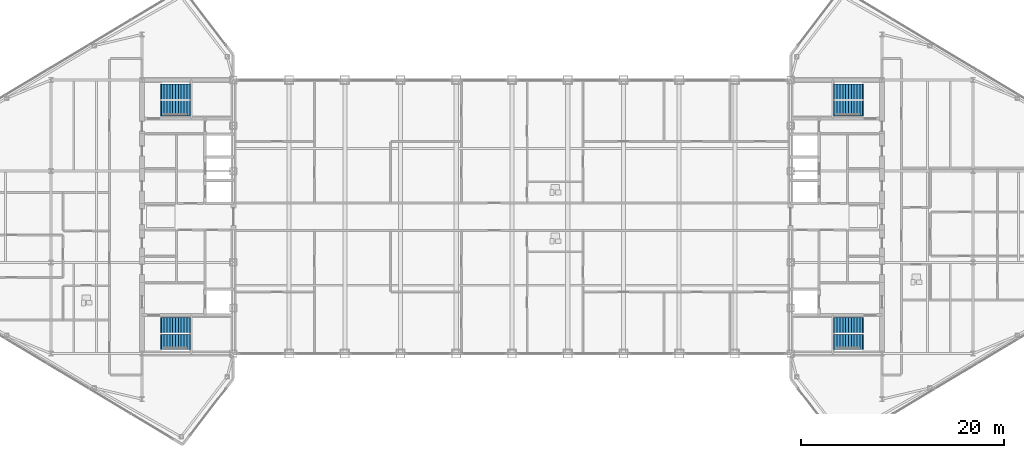
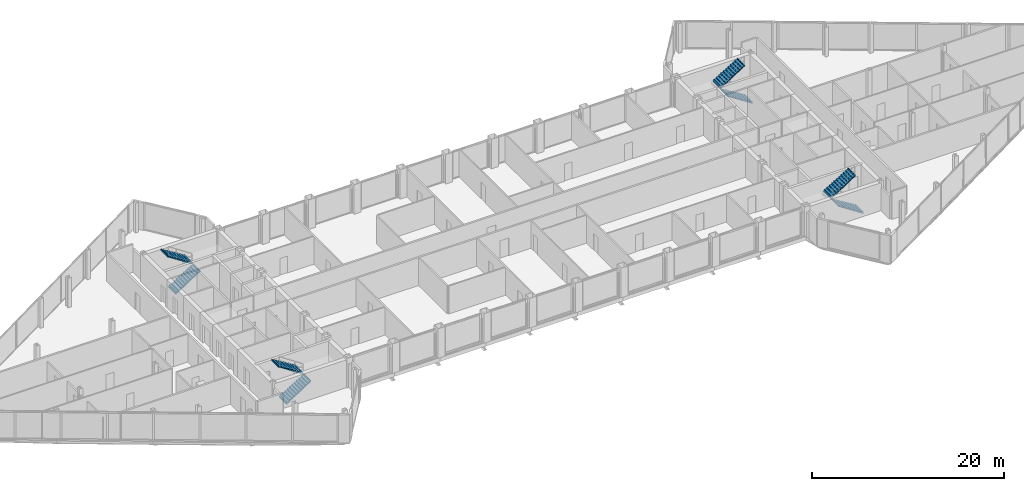
# One storey, part 27 of 29: 8 stair flights, 4 elements without a shape of their own.
"""IFC4 building model written with IfcOpenShell, lengths in metres."""

from ifc_helpers import new_model, si_unit, direction, frame, origin, place, context, subcontext, project, spatial, polyline, outline, extrude, material, type_object, element, aggregate, save


model = new_model("IFC4")

# Units and contexts
model_context = context("Model", 3, precision=1e-05, world=origin(), true_north=direction((0.0, 1.0)))
body_context = subcontext(model_context, "Body", "Model", "MODEL_VIEW")
ifc_project = project(units=[si_unit("LENGTHUNIT", "METRE"), si_unit("AREAUNIT", "SQUARE_METRE"), si_unit("VOLUMEUNIT", "CUBIC_METRE"), si_unit("PLANEANGLEUNIT", "RADIAN"), si_unit("MASSUNIT", "GRAM", prefix="KILO")], contexts=[model_context])

# Site, building, storey
site_placement = place(None, origin())
site = spatial("IfcSite", under=ifc_project, at=site_placement, CompositionType="ELEMENT")
building_placement = place(site_placement, origin())
building = spatial("IfcBuilding", under=site, at=building_placement, Name="Seokmaru Belvedere", CompositionType="ELEMENT")
storey_placement = place(building_placement, frame((0.0, 0.0, 254.39990234375)))
storey = spatial("IfcBuildingStorey", under=building, at=storey_placement, Name="L67", CompositionType="ELEMENT", Elevation=254.39990234375)

# Stair, stair flights
ifc_material = material(Name="Concrete C40 (40 MPa)", Category="concrete")
stair_type = type_object("IfcStairType", Name="Sky-Gate Residential Core Dog-Leg Stair 3750", PredefinedType="TWO_STRAIGHT_RUN_STAIR", material=ifc_material)
stair_1_placement = place(storey_placement, origin())
stair_1 = element("IfcStair", 1, at=stair_1_placement, inside=storey, type_object=stair_type, Name="L67 Special Escape Stair ST-W1", PredefinedType="TWO_STRAIGHT_RUN_STAIR")
stair_flight_type = type_object("IfcStairFlightType", Name="Reinforced Concrete Stair Flight 1500", PredefinedType="STRAIGHT", material=ifc_material)
stair_flight_1_placement = place(storey_placement, frame((-34.60009765625, -12.35009765625, 0.0), z_axis=(0.0, 0.0, 1.0), x_axis=(1.0, 0.0, 0.0)))
stair_flight_1 = element("IfcStairFlight", 2, at=stair_flight_1_placement, type_object=stair_flight_type, Name="ST-W1 flight 1", NumberOfRisers=11, NumberOfTreads=10, PredefinedType="STRAIGHT", RiserHeight=0.170454545, TreadLength=0.28, context=body_context, shape_type="SweptSolid", body=[
    extrude(outline(polyline([(-0.080078125, 0.0), (0.0, 0.17041015625), (0.280029296875, 0.17041015625), (0.280029296875, 0.3408203125), (0.56005859375, 0.3408203125), (0.56005859375, 0.511474609375), (0.840087890625, 0.511474609375), (0.840087890625, 0.681884765625), (1.1201171875, 0.681884765625), (1.1201171875, 0.852294921875), (1.39990234375, 0.852294921875), (1.39990234375, 1.022705078125), (1.679931640625, 1.022705078125), (1.679931640625, 1.193115234375), (1.9599609375, 1.193115234375), (1.9599609375, 1.363525390625), (2.239990234375, 1.363525390625), (2.239990234375, 1.5341796875), (2.52001953125, 1.5341796875), (2.52001953125, 1.70458984375), (2.800048828125, 1.70458984375), (2.800048828125, 1.875), (2.8798828125, 1.875), (2.8798828125, 1.68505859375), (2.800048828125, 1.68505859375), (0.0, -0.159912109375), (-0.080078125, -0.159912109375), (-0.080078125, 0.0)])), frame((0.0, 0.75, 0.0), z_axis=(0.0, -1.0, 0.0), x_axis=(1.0, 0.0, 0.0)), (0.0, 0.0, 1.0), 1.5),
])
stair_flight_2_placement = place(storey_placement, frame((-31.800048828125, -10.7099609375, 1.875), z_axis=(0.0, 0.0, 1.0), x_axis=(-1.0, 0.0, 0.0)))
stair_flight_2 = element("IfcStairFlight", 3, at=stair_flight_2_placement, type_object=stair_flight_type, Name="ST-W1 flight 2", NumberOfRisers=11, NumberOfTreads=10, PredefinedType="STRAIGHT", RiserHeight=0.170454545, TreadLength=0.28, context=body_context, shape_type="SweptSolid", body=[
    extrude(outline(polyline([(-0.080078125, 0.0), (0.0, 0.17041015625), (0.280029296875, 0.17041015625), (0.280029296875, 0.3408203125), (0.56005859375, 0.3408203125), (0.56005859375, 0.511474609375), (0.840087890625, 0.511474609375), (0.840087890625, 0.681884765625), (1.1201171875, 0.681884765625), (1.1201171875, 0.852294921875), (1.39990234375, 0.852294921875), (1.39990234375, 1.022705078125), (1.679931640625, 1.022705078125), (1.679931640625, 1.193115234375), (1.9599609375, 1.193115234375), (1.9599609375, 1.363525390625), (2.239990234375, 1.363525390625), (2.239990234375, 1.5341796875), (2.52001953125, 1.5341796875), (2.52001953125, 1.70458984375), (2.800048828125, 1.70458984375), (2.800048828125, 1.875), (2.8798828125, 1.875), (2.8798828125, 1.68505859375), (2.800048828125, 1.68505859375), (0.0, -0.159912109375), (-0.080078125, -0.159912109375), (-0.080078125, 0.0)])), frame((0.0, 0.75, 0.0), z_axis=(0.0, -1.0, 0.0), x_axis=(1.0, 0.0, 0.0)), (0.0, 0.0, 1.0), 1.5),
])
aggregate(stair_1, [stair_flight_1, stair_flight_2])

stair_2_placement = place(storey_placement, origin())
stair_2 = element("IfcStair", 4, at=stair_2_placement, inside=storey, type_object=stair_type, Name="L67 Special Escape Stair ST-W2", PredefinedType="TWO_STRAIGHT_RUN_STAIR")
stair_flight_3_placement = place(storey_placement, frame((-34.60009765625, 10.7099609375, 0.0), z_axis=(0.0, 0.0, 1.0), x_axis=(1.0, 0.0, 0.0)))
stair_flight_3 = element("IfcStairFlight", 5, at=stair_flight_3_placement, type_object=stair_flight_type, Name="ST-W2 flight 1", NumberOfRisers=11, NumberOfTreads=10, PredefinedType="STRAIGHT", RiserHeight=0.170454545, TreadLength=0.28, context=body_context, shape_type="SweptSolid", body=[
    extrude(outline(polyline([(-0.080078125, 0.0), (0.0, 0.17041015625), (0.280029296875, 0.17041015625), (0.280029296875, 0.3408203125), (0.56005859375, 0.3408203125), (0.56005859375, 0.511474609375), (0.840087890625, 0.511474609375), (0.840087890625, 0.681884765625), (1.1201171875, 0.681884765625), (1.1201171875, 0.852294921875), (1.39990234375, 0.852294921875), (1.39990234375, 1.022705078125), (1.679931640625, 1.022705078125), (1.679931640625, 1.193115234375), (1.9599609375, 1.193115234375), (1.9599609375, 1.363525390625), (2.239990234375, 1.363525390625), (2.239990234375, 1.5341796875), (2.52001953125, 1.5341796875), (2.52001953125, 1.70458984375), (2.800048828125, 1.70458984375), (2.800048828125, 1.875), (2.8798828125, 1.875), (2.8798828125, 1.68505859375), (2.800048828125, 1.68505859375), (0.0, -0.159912109375), (-0.080078125, -0.159912109375), (-0.080078125, 0.0)])), frame((0.0, 0.75, 0.0), z_axis=(0.0, -1.0, 0.0), x_axis=(1.0, 0.0, 0.0)), (0.0, 0.0, 1.0), 1.5),
])
stair_flight_4_placement = place(storey_placement, frame((-31.800048828125, 12.35009765625, 1.875), z_axis=(0.0, 0.0, 1.0), x_axis=(-1.0, 0.0, 0.0)))
stair_flight_4 = element("IfcStairFlight", 6, at=stair_flight_4_placement, type_object=stair_flight_type, Name="ST-W2 flight 2", NumberOfRisers=11, NumberOfTreads=10, PredefinedType="STRAIGHT", RiserHeight=0.170454545, TreadLength=0.28, context=body_context, shape_type="SweptSolid", body=[
    extrude(outline(polyline([(-0.080078125, 0.0), (0.0, 0.17041015625), (0.280029296875, 0.17041015625), (0.280029296875, 0.3408203125), (0.56005859375, 0.3408203125), (0.56005859375, 0.511474609375), (0.840087890625, 0.511474609375), (0.840087890625, 0.681884765625), (1.1201171875, 0.681884765625), (1.1201171875, 0.852294921875), (1.39990234375, 0.852294921875), (1.39990234375, 1.022705078125), (1.679931640625, 1.022705078125), (1.679931640625, 1.193115234375), (1.9599609375, 1.193115234375), (1.9599609375, 1.363525390625), (2.239990234375, 1.363525390625), (2.239990234375, 1.5341796875), (2.52001953125, 1.5341796875), (2.52001953125, 1.70458984375), (2.800048828125, 1.70458984375), (2.800048828125, 1.875), (2.8798828125, 1.875), (2.8798828125, 1.68505859375), (2.800048828125, 1.68505859375), (0.0, -0.159912109375), (-0.080078125, -0.159912109375), (-0.080078125, 0.0)])), frame((0.0, 0.75, 0.0), z_axis=(0.0, -1.0, 0.0), x_axis=(1.0, 0.0, 0.0)), (0.0, 0.0, 1.0), 1.5),
])
aggregate(stair_2, [stair_flight_3, stair_flight_4])

stair_3_placement = place(storey_placement, origin())
stair_3 = element("IfcStair", 7, at=stair_3_placement, inside=storey, type_object=stair_type, Name="L67 Special Escape Stair ST-E1", PredefinedType="TWO_STRAIGHT_RUN_STAIR")
stair_flight_5_placement = place(storey_placement, frame((34.60009765625, -12.35009765625, 0.0), z_axis=(0.0, 0.0, 1.0), x_axis=(-1.0, 0.0, 0.0)))
stair_flight_5 = element("IfcStairFlight", 8, at=stair_flight_5_placement, type_object=stair_flight_type, Name="ST-E1 flight 1", NumberOfRisers=11, NumberOfTreads=10, PredefinedType="STRAIGHT", RiserHeight=0.170454545, TreadLength=0.28, context=body_context, shape_type="SweptSolid", body=[
    extrude(outline(polyline([(-0.080078125, 0.0), (0.0, 0.17041015625), (0.280029296875, 0.17041015625), (0.280029296875, 0.3408203125), (0.56005859375, 0.3408203125), (0.56005859375, 0.511474609375), (0.840087890625, 0.511474609375), (0.840087890625, 0.681884765625), (1.1201171875, 0.681884765625), (1.1201171875, 0.852294921875), (1.39990234375, 0.852294921875), (1.39990234375, 1.022705078125), (1.679931640625, 1.022705078125), (1.679931640625, 1.193115234375), (1.9599609375, 1.193115234375), (1.9599609375, 1.363525390625), (2.239990234375, 1.363525390625), (2.239990234375, 1.5341796875), (2.52001953125, 1.5341796875), (2.52001953125, 1.70458984375), (2.800048828125, 1.70458984375), (2.800048828125, 1.875), (2.8798828125, 1.875), (2.8798828125, 1.68505859375), (2.800048828125, 1.68505859375), (0.0, -0.159912109375), (-0.080078125, -0.159912109375), (-0.080078125, 0.0)])), frame((0.0, 0.75, 0.0), z_axis=(0.0, -1.0, 0.0), x_axis=(1.0, 0.0, 0.0)), (0.0, 0.0, 1.0), 1.5),
])
stair_flight_6_placement = place(storey_placement, frame((31.800048828125, -10.7099609375, 1.875), z_axis=(0.0, 0.0, 1.0), x_axis=(1.0, 0.0, 0.0)))
stair_flight_6 = element("IfcStairFlight", 9, at=stair_flight_6_placement, type_object=stair_flight_type, Name="ST-E1 flight 2", NumberOfRisers=11, NumberOfTreads=10, PredefinedType="STRAIGHT", RiserHeight=0.170454545, TreadLength=0.28, context=body_context, shape_type="SweptSolid", body=[
    extrude(outline(polyline([(-0.080078125, 0.0), (0.0, 0.17041015625), (0.280029296875, 0.17041015625), (0.280029296875, 0.3408203125), (0.56005859375, 0.3408203125), (0.56005859375, 0.511474609375), (0.840087890625, 0.511474609375), (0.840087890625, 0.681884765625), (1.1201171875, 0.681884765625), (1.1201171875, 0.852294921875), (1.39990234375, 0.852294921875), (1.39990234375, 1.022705078125), (1.679931640625, 1.022705078125), (1.679931640625, 1.193115234375), (1.9599609375, 1.193115234375), (1.9599609375, 1.363525390625), (2.239990234375, 1.363525390625), (2.239990234375, 1.5341796875), (2.52001953125, 1.5341796875), (2.52001953125, 1.70458984375), (2.800048828125, 1.70458984375), (2.800048828125, 1.875), (2.8798828125, 1.875), (2.8798828125, 1.68505859375), (2.800048828125, 1.68505859375), (0.0, -0.159912109375), (-0.080078125, -0.159912109375), (-0.080078125, 0.0)])), frame((0.0, 0.75, 0.0), z_axis=(0.0, -1.0, 0.0), x_axis=(1.0, 0.0, 0.0)), (0.0, 0.0, 1.0), 1.5),
])
aggregate(stair_3, [stair_flight_5, stair_flight_6])

stair_4_placement = place(storey_placement, origin())
stair_4 = element("IfcStair", 10, at=stair_4_placement, inside=storey, type_object=stair_type, Name="L67 Special Escape Stair ST-E2", PredefinedType="TWO_STRAIGHT_RUN_STAIR")
stair_flight_7_placement = place(storey_placement, frame((34.60009765625, 10.7099609375, 0.0), z_axis=(0.0, 0.0, 1.0), x_axis=(-1.0, 0.0, 0.0)))
stair_flight_7 = element("IfcStairFlight", 11, at=stair_flight_7_placement, type_object=stair_flight_type, Name="ST-E2 flight 1", NumberOfRisers=11, NumberOfTreads=10, PredefinedType="STRAIGHT", RiserHeight=0.170454545, TreadLength=0.28, context=body_context, shape_type="SweptSolid", body=[
    extrude(outline(polyline([(-0.080078125, 0.0), (0.0, 0.17041015625), (0.280029296875, 0.17041015625), (0.280029296875, 0.3408203125), (0.56005859375, 0.3408203125), (0.56005859375, 0.511474609375), (0.840087890625, 0.511474609375), (0.840087890625, 0.681884765625), (1.1201171875, 0.681884765625), (1.1201171875, 0.852294921875), (1.39990234375, 0.852294921875), (1.39990234375, 1.022705078125), (1.679931640625, 1.022705078125), (1.679931640625, 1.193115234375), (1.9599609375, 1.193115234375), (1.9599609375, 1.363525390625), (2.239990234375, 1.363525390625), (2.239990234375, 1.5341796875), (2.52001953125, 1.5341796875), (2.52001953125, 1.70458984375), (2.800048828125, 1.70458984375), (2.800048828125, 1.875), (2.8798828125, 1.875), (2.8798828125, 1.68505859375), (2.800048828125, 1.68505859375), (0.0, -0.159912109375), (-0.080078125, -0.159912109375), (-0.080078125, 0.0)])), frame((0.0, 0.75, 0.0), z_axis=(0.0, -1.0, 0.0), x_axis=(1.0, 0.0, 0.0)), (0.0, 0.0, 1.0), 1.5),
])
stair_flight_8_placement = place(storey_placement, frame((31.800048828125, 12.35009765625, 1.875), z_axis=(0.0, 0.0, 1.0), x_axis=(1.0, 0.0, 0.0)))
stair_flight_8 = element("IfcStairFlight", 12, at=stair_flight_8_placement, type_object=stair_flight_type, Name="ST-E2 flight 2", NumberOfRisers=11, NumberOfTreads=10, PredefinedType="STRAIGHT", RiserHeight=0.170454545, TreadLength=0.28, context=body_context, shape_type="SweptSolid", body=[
    extrude(outline(polyline([(-0.080078125, 0.0), (0.0, 0.17041015625), (0.280029296875, 0.17041015625), (0.280029296875, 0.3408203125), (0.56005859375, 0.3408203125), (0.56005859375, 0.511474609375), (0.840087890625, 0.511474609375), (0.840087890625, 0.681884765625), (1.1201171875, 0.681884765625), (1.1201171875, 0.852294921875), (1.39990234375, 0.852294921875), (1.39990234375, 1.022705078125), (1.679931640625, 1.022705078125), (1.679931640625, 1.193115234375), (1.9599609375, 1.193115234375), (1.9599609375, 1.363525390625), (2.239990234375, 1.363525390625), (2.239990234375, 1.5341796875), (2.52001953125, 1.5341796875), (2.52001953125, 1.70458984375), (2.800048828125, 1.70458984375), (2.800048828125, 1.875), (2.8798828125, 1.875), (2.8798828125, 1.68505859375), (2.800048828125, 1.68505859375), (0.0, -0.159912109375), (-0.080078125, -0.159912109375), (-0.080078125, 0.0)])), frame((0.0, 0.75, 0.0), z_axis=(0.0, -1.0, 0.0), x_axis=(1.0, 0.0, 0.0)), (0.0, 0.0, 1.0), 1.5),
])
aggregate(stair_4, [stair_flight_7, stair_flight_8])

save(model, "model.ifc")
